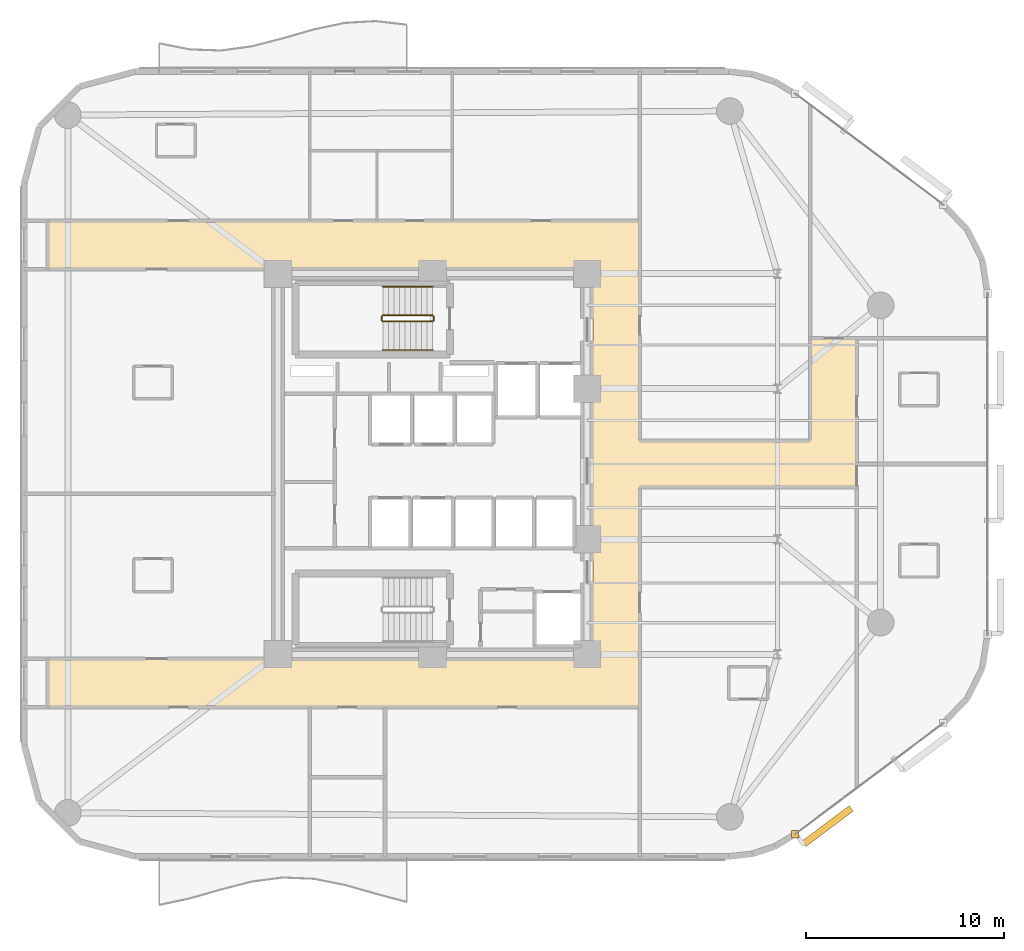
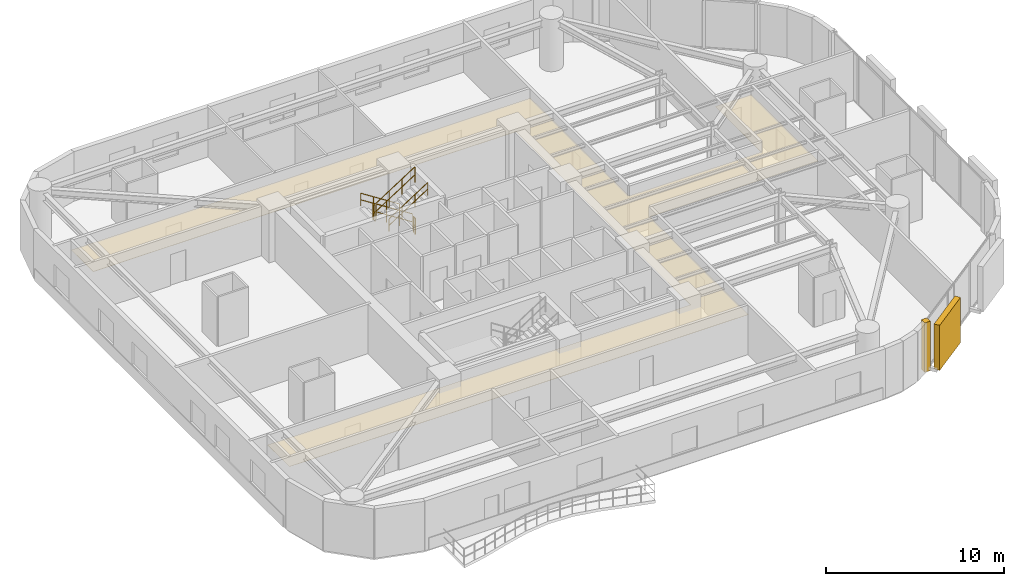
# One storey, part 15 of 16: 6 railings, 2 coverings, 1 shading device.
"""IFC4 building model written with IfcOpenShell, lengths in metres."""

import ifcopenshell
import ifcopenshell.guid

model = None  # the IFC model being written
_history = None  # IfcOwnerHistory: only IFC2X3 demands one
_inside = {}  # id of a spatial element -> (the spatial element, [elements in it])
_under = {}  # id of a project, library or spatial element -> (it, [spatial elements below it])
_declared = {}  # id of a project -> (the project, [libraries it declares])
_typed = {}  # id of a type object -> (the type object, [elements of that type])
_made_of = {}  # id of a material, layer set ... -> (it, [elements and type objects made of it])


def new_model(schema):
    """Start an empty IFC model of exactly this schema.

    Asked for "IFC4X3", IfcOpenShell would pick the latest addendum, in which some entities
    have other attributes; the version numbers below select the first issue.
    IFC2X3 requires an IfcOwnerHistory on every rooted entity: one is made here for all.
    """
    global model, _history
    if schema == "IFC4X3":
        model = ifcopenshell.file(schema_version=(4, 3, 0, 0))
    else:
        model = ifcopenshell.file(schema=schema)
    _inside.clear()
    _under.clear()
    _declared.clear()
    _typed.clear()
    _made_of.clear()
    _history = None
    if model.schema == "IFC2X3":
        org = make("IfcOrganization", Name="unknown")
        user = make(
            "IfcPersonAndOrganization",
            ThePerson=make("IfcPerson", FamilyName="unknown"),
            TheOrganization=org,
        )
        app = make(
            "IfcApplication",
            ApplicationDeveloper=org,
            Version="unknown",
            ApplicationFullName="unknown",
            ApplicationIdentifier="unknown",
        )
        _history = make(
            "IfcOwnerHistory",
            OwningUser=user,
            OwningApplication=app,
            ChangeAction="ADDED",
            CreationDate=0,
        )
    return model


def make(cls, **values):
    """One entity of the class cls with the attributes given. An attribute that is None is left unset."""
    return model.create_entity(
        cls, **{name: value for name, value in values.items() if value is not None}
    )


def rooted(cls, **values):
    """An entity with a GlobalId (a new one), such as an element, a storey or a relation."""
    return make(cls, GlobalId=ifcopenshell.guid.new(), OwnerHistory=_history, **values)


def si_unit(unit_type, name, prefix=None):
    """IfcSIUnit, for example si_unit("LENGTHUNIT", "METRE", prefix="MILLI")."""
    return make("IfcSIUnit", UnitType=unit_type, Prefix=prefix, Name=name)


def assignment(units):
    """IfcUnitAssignment: the units of a project."""
    return None if units is None else make("IfcUnitAssignment", Units=units)


def point(xyz):
    """IfcCartesianPoint."""
    return None if xyz is None else make("IfcCartesianPoint", Coordinates=xyz)


def direction(xyz):
    """IfcDirection."""
    return None if xyz is None else make("IfcDirection", DirectionRatios=xyz)


def frame(location, z_axis=None, x_axis=None):
    """IfcAxis2Placement3D, a coordinate frame: its origin and axes. An axis left out is left unset."""
    return make(
        "IfcAxis2Placement3D",
        Location=point(location),
        Axis=direction(z_axis),
        RefDirection=direction(x_axis),
    )


def frame_2d(location, x_axis=None):
    """IfcAxis2Placement2D, a coordinate frame in the plane: its origin and x axis."""
    return make(
        "IfcAxis2Placement2D", Location=point(location), RefDirection=direction(x_axis)
    )


def origin():
    """The frame at (0, 0, 0) with its axes left unset."""
    return frame((0.0, 0.0, 0.0))


def origin_2d():
    """The frame at (0, 0) in the plane with its x axis left unset."""
    return frame_2d((0.0, 0.0))


def place(relative_to, where):
    """IfcLocalPlacement: puts the frame where relative to a parent placement (None: the world)."""
    return make(
        "IfcLocalPlacement", PlacementRelTo=relative_to, RelativePlacement=where
    )


def context(
    kind, dimensions, precision=None, world=None, true_north=None, identifier=None
):
    """IfcGeometricRepresentationContext, for example the 3D "Model" context."""
    return make(
        "IfcGeometricRepresentationContext",
        ContextIdentifier=identifier,
        ContextType=kind,
        CoordinateSpaceDimension=dimensions,
        Precision=precision,
        WorldCoordinateSystem=world,
        TrueNorth=true_north,
    )


def subcontext(parent, identifier, kind, view, scale=None):
    """IfcGeometricRepresentationSubContext, for example "Body" below "Model"."""
    return make(
        "IfcGeometricRepresentationSubContext",
        ContextIdentifier=identifier,
        ContextType=kind,
        ParentContext=parent,
        TargetScale=scale,
        TargetView=view,
    )


def project(units=None, contexts=None):
    """IfcProject with its units and contexts."""
    return rooted(
        "IfcProject",
        Name="project",
        RepresentationContexts=contexts,
        UnitsInContext=assignment(units),
    )


def spatial(cls, under=None, at=None, **own):
    """A site, building, storey or space (cls), placed at a placement, below another one or the project."""
    s = rooted(cls, ObjectPlacement=at, **own)
    if under is not None:
        _under.setdefault(under.id(), (under, []))[1].append(s)
    return s


def polyline(points):
    """IfcPolyline through the points."""
    return make("IfcPolyline", Points=[point(p) for p in points])


def profile(cls, at=None, kind="AREA", **sizes):
    """A parametric profile (cls). Its sizes go by their IFC names, for example OverallWidth=200.0."""
    return make(cls, ProfileType=kind, Position=at, **sizes)


def rectangle(**sizes):
    """IfcRectangleProfileDef."""
    return profile("IfcRectangleProfileDef", **sizes)


def circle(**sizes):
    """IfcCircleProfileDef."""
    return profile("IfcCircleProfileDef", **sizes)


def outline(outer, holes=None, kind="AREA"):
    """IfcArbitraryClosedProfileDef: a profile drawn as a closed curve; with holes, ...WithVoids."""
    if holes is None:
        return make("IfcArbitraryClosedProfileDef", ProfileType=kind, OuterCurve=outer)
    return make(
        "IfcArbitraryProfileDefWithVoids",
        ProfileType=kind,
        OuterCurve=outer,
        InnerCurves=holes,
    )


def extrude(swept, where, along, depth):
    """IfcExtrudedAreaSolid: the profile swept, set in the frame where, extruded along a direction by depth."""
    return make(
        "IfcExtrudedAreaSolid",
        SweptArea=swept,
        Position=where,
        ExtrudedDirection=direction(along),
        Depth=depth,
    )


def shape(context_of_items, identifier, shape_type, items):
    """IfcShapeRepresentation: the items that make up one representation, for example the "Body"."""
    return make(
        "IfcShapeRepresentation",
        ContextOfItems=context_of_items,
        RepresentationIdentifier=identifier,
        RepresentationType=shape_type,
        Items=items,
    )


def material(Name=None, Category=None):
    """IfcMaterial."""
    return make("IfcMaterial", Name=Name, Category=Category)


def layer(
    of_material, thickness, ventilated=None, Name=None, Category=None, Priority=None
):
    """IfcMaterialLayer: one layer of a wall or slab, of a material (None: an air gap)."""
    return make(
        "IfcMaterialLayer",
        Material=of_material,
        LayerThickness=thickness,
        IsVentilated=ventilated,
        Name=Name,
        Category=Category,
        Priority=Priority,
    )


def layer_set(layers, Name=None):
    """IfcMaterialLayerSet."""
    return make("IfcMaterialLayerSet", MaterialLayers=layers, LayerSetName=Name)


def made_of(thing, what):
    """Note that an element or type object is made of a material, layer set ...; save() writes the relation."""
    if what is not None:
        _made_of.setdefault(what.id(), (what, []))[1].append(thing)
    return thing


def type_object(cls, material=None, **own):
    """A type object (cls), such as IfcWallType, which elements share."""
    return made_of(rooted(cls, **own), material)


def element(
    cls,
    number,
    at=None,
    inside=None,
    cuts=None,
    type_object=None,
    material=None,
    context=None,
    identifier="Body",
    shape_type=None,
    held_by="IfcProductDefinitionShape",
    body=None,
    shapes=None,
    **own,
):
    """One element of the class cls, such as IfcWall. Its Tag is "e" and its number.

    at: its placement. inside: the storey or other place that contains it. cuts: it is an
    opening in that element (IfcRelVoidsElement). A single representation is given by context,
    identifier, shape_type and body (its items); several are given by shapes. held_by: the class
    of the entity that holds the representations. save() writes the other relations.
    """
    e = rooted(cls, Tag="e%d" % number, ObjectPlacement=at, **own)
    if body is not None:
        shapes = [shape(context, identifier, shape_type, body)]
    if shapes is not None:
        e.Representation = make(held_by, Representations=shapes)
    if inside is not None:
        _inside.setdefault(inside.id(), (inside, []))[1].append(e)
    if cuts is not None:
        rooted(
            "IfcRelVoidsElement", RelatingBuildingElement=cuts, RelatedOpeningElement=e
        )
    if type_object is not None:
        _typed.setdefault(type_object.id(), (type_object, []))[1].append(e)
    return made_of(e, material)


def aggregate(whole, parts):
    """IfcRelAggregates: a whole, such as a stair, and the parts it consists of."""
    return rooted("IfcRelAggregates", RelatingObject=whole, RelatedObjects=parts)


def save(model, path):
    """Write the relations noted so far, then the file.

    IfcRelAggregates (storeys below a building ...), IfcRelContainedInSpatialStructure (elements
    in a storey), IfcRelDefinesByType, IfcRelAssociatesMaterial and IfcRelDeclares: one each for
    every whole, place, type object, material and project.
    """
    for whole, parts in _under.values():
        aggregate(whole, parts)
    for where, things in _inside.values():
        rooted(
            "IfcRelContainedInSpatialStructure",
            RelatedElements=things,
            RelatingStructure=where,
        )
    for kind, things in _typed.values():
        rooted("IfcRelDefinesByType", RelatedObjects=things, RelatingType=kind)
    for what, things in _made_of.values():
        rooted("IfcRelAssociatesMaterial", RelatedObjects=things, RelatingMaterial=what)
    for by, libraries in _declared.values():
        rooted("IfcRelDeclares", RelatingContext=by, RelatedDefinitions=libraries)
    model.write(path)


model = new_model("IFC4")

# Units and contexts
model_context = context("Model", 3, precision=1e-05, world=origin(), true_north=direction((0.0, 1.0)))
body_context = subcontext(model_context, "Body", "Model", "MODEL_VIEW")
ifc_project = project(units=[si_unit("LENGTHUNIT", "METRE"), si_unit("AREAUNIT", "SQUARE_METRE"), si_unit("VOLUMEUNIT", "CUBIC_METRE"), si_unit("PLANEANGLEUNIT", "RADIAN"), si_unit("MASSUNIT", "GRAM", prefix="KILO")], contexts=[model_context])

# Site, building, storey
site_placement = place(None, origin())
site = spatial("IfcSite", under=ifc_project, at=site_placement, CompositionType="ELEMENT")
building_placement = place(site_placement, origin())
building = spatial("IfcBuilding", under=site, at=building_placement, Name="An Khanh Terracotta Commons", CompositionType="ELEMENT")
storey_placement = place(building_placement, frame((0.0, 0.0, 100.699951171875)))
storey = spatial("IfcBuildingStorey", under=building, at=storey_placement, Name="L26", CompositionType="ELEMENT", Elevation=100.699951171875)

# Coverings
ifc_material_1 = material(Name="Perforated Mineral-Fibre Acoustic Tile")
ifc_layer_1 = layer(ifc_material_1, 0.02001953125, Name="Perforated Mineral-Fibre Acoustic Tile")
ifc_layer_set_1 = layer_set([ifc_layer_1], Name="Perforated Mineral-Fibre Acoustic Tile")
covering_type_1 = type_object("IfcCoveringType", Name="CEIL-ACOUSTIC-18", PredefinedType="CEILING", material=ifc_layer_set_1)
covering_1_placement = place(storey_placement, frame((0.0, 0.0, 2.650146484375)))
element("IfcCovering", 1, at=covering_1_placement, inside=storey, type_object=covering_type_1, Name="L26 Corridor Ceiling", PredefinedType="CEILING", context=body_context, shape_type="SweptSolid", body=[
    extrude(outline(polyline([(10.0, 11.719970703125), (10.0, 14.179931640625), (37.5, 14.179931640625), (37.5, 33.820068359375), (10.0, 33.820068359375), (10.0, 36.280029296875), (37.5, 36.280029296875), (39.85009765625, 36.280029296875), (39.85009765625, 33.820068359375), (39.85009765625, 25.179931640625), (48.449951171875, 25.179931640625), (48.449951171875, 30.35009765625), (50.800048828125, 30.35009765625), (50.800048828125, 25.179931640625), (50.800048828125, 22.820068359375), (48.449951171875, 22.820068359375), (39.85009765625, 22.820068359375), (39.85009765625, 14.179931640625), (39.85009765625, 11.719970703125), (37.5, 11.719970703125), (10.0, 11.719970703125)])), origin(), (0.0, 0.0, 1.0), 0.02001953125),
])
ifc_material_2 = material(Name="Fired Terracotta Rainscreen Cladding", Category="masonry")
ifc_layer_2 = layer(ifc_material_2, 0.080078125, Name="Fired Terracotta Rainscreen Cladding")
ifc_layer_set_2 = layer_set([ifc_layer_2], Name="Fired Terracotta Rainscreen Cladding")
covering_type_2 = type_object("IfcCoveringType", Name="COV-JAMB-TERRA", PredefinedType="CLADDING", material=ifc_layer_set_2)
covering_2_placement = place(storey_placement, frame((47.693115234375, 5.320068359375, 0.0), z_axis=(0.0, 0.0, 1.0), x_axis=(1.0, 0.0, 0.0)))
element("IfcCovering", 2, at=covering_2_placement, inside=storey, type_object=covering_type_2, Name="L26 CW-02 Curtain-Wall Jamb Closure JA", PredefinedType="CLADDING", context=body_context, shape_type="SweptSolid", body=[
    extrude(rectangle(XDim=0.3798828125, YDim=0.3798828125, at=origin_2d()), origin(), (0.0, 0.0, 1.0), 3.39990234375),
])

# Railings
ifc_material_3 = material(Name="Brushed Stainless Steel 316", Category="steel")
railing_type_1 = type_object("IfcRailingType", Name="RAIL-HANDRAIL-900", PredefinedType="HANDRAIL", material=ifc_material_3)
railing_1_placement = place(storey_placement, frame((29.409912109375, 32.949951171875, 0.179931640625)))
element("IfcRailing", 3, at=railing_1_placement, inside=storey, type_object=railing_type_1, Name="L26 ST-01 stair handrail 1", PredefinedType="HANDRAIL", context=body_context, shape_type="SweptSolid", body=[
    extrude(circle(Radius=0.02392578125, at=origin_2d()), frame((0.0, 0.0, 0.8759765625), z_axis=(-0.841162588446, 0.0, 0.540782303519), x_axis=(0.0, -1.0, 0.0)), (0.0, 0.0, 1.0), 2.995849609375),
    extrude(circle(Radius=0.02392578125, at=origin_2d()), frame((0.0, 0.0, 0.42578125), z_axis=(-0.841162588446, 0.0, 0.540782303519), x_axis=(0.0, -1.0, 0.0)), (0.0, 0.0, 1.0), 2.995849609375),
    extrude(circle(Radius=0.02099609375, at=origin_2d()), origin(), (0.0, 0.0, 1.0), 0.851806640625),
    extrude(circle(Radius=0.02099609375, at=origin_2d()), frame((-0.840087890625, 0.0, 0.5400390625)), (0.0, 0.0, 1.0), 0.851806640625),
    extrude(circle(Radius=0.02099609375, at=origin_2d()), frame((-1.679931640625, 0.0, 1.080078125)), (0.0, 0.0, 1.0), 0.851806640625),
    extrude(circle(Radius=0.02099609375, at=origin_2d()), frame((-2.52001953125, 0.0, 1.6201171875)), (0.0, 0.0, 1.0), 0.851806640625),
])
railing_2_placement = place(storey_placement, frame((26.889892578125, 29.75, 1.97998046875)))
element("IfcRailing", 4, at=railing_2_placement, inside=storey, type_object=railing_type_1, Name="L26 ST-01 stair handrail 2", PredefinedType="HANDRAIL", context=body_context, shape_type="SweptSolid", body=[
    extrude(circle(Radius=0.02392578125, at=origin_2d()), frame((0.0, 0.0, 0.8759765625), z_axis=(0.841162588446, 0.0, 0.540782303519), x_axis=(0.0, 1.0, 0.0)), (0.0, 0.0, 1.0), 2.995849609375),
    extrude(circle(Radius=0.02392578125, at=origin_2d()), frame((0.0, 0.0, 0.42578125), z_axis=(0.841162588446, 0.0, 0.540782303519), x_axis=(0.0, 1.0, 0.0)), (0.0, 0.0, 1.0), 2.995849609375),
    extrude(circle(Radius=0.02099609375, at=origin_2d()), origin(), (0.0, 0.0, 1.0), 0.851806640625),
    extrude(circle(Radius=0.02099609375, at=origin_2d()), frame((0.840087890625, 0.0, 0.5400390625)), (0.0, 0.0, 1.0), 0.851806640625),
    extrude(circle(Radius=0.02099609375, at=origin_2d()), frame((1.679931640625, 0.0, 1.080078125)), (0.0, 0.0, 1.0), 0.851806640625),
    extrude(circle(Radius=0.02099609375, at=origin_2d()), frame((2.52001953125, 0.0, 1.6201171875)), (0.0, 0.0, 1.0), 0.851806640625),
])
ifc_material_4 = material(Name="Powder-Coated Steel S355J2", Category="steel")
railing_type_2 = type_object("IfcRailingType", Name="RAIL-STAIR-GUARD-1100", PredefinedType="BALUSTRADE", material=ifc_material_4)
railing_3_placement = place(storey_placement, frame((29.409912109375, 31.5, 0.179931640625)))
element("IfcRailing", 5, at=railing_3_placement, inside=storey, type_object=railing_type_2, Name="L26 ST-01 stair guard 1", PredefinedType="BALUSTRADE", context=body_context, shape_type="SweptSolid", body=[
    extrude(circle(Radius=0.02392578125, at=origin_2d()), frame((0.0, 0.0, 1.076171875), z_axis=(-0.841162588446, 0.0, 0.540782303519), x_axis=(0.0, -1.0, 0.0)), (0.0, 0.0, 1.0), 2.995849609375),
    extrude(circle(Radius=0.02392578125, at=origin_2d()), frame((0.0, 0.0, 0.52587890625), z_axis=(-0.841162588446, 0.0, 0.540782303519), x_axis=(0.0, -1.0, 0.0)), (0.0, 0.0, 1.0), 2.995849609375),
    extrude(circle(Radius=0.02099609375, at=origin_2d()), origin(), (0.0, 0.0, 1.0), 1.052001953125),
    extrude(circle(Radius=0.02099609375, at=origin_2d()), frame((-0.840087890625, 0.0, 0.5400390625)), (0.0, 0.0, 1.0), 1.052001953125),
    extrude(circle(Radius=0.02099609375, at=origin_2d()), frame((-1.679931640625, 0.0, 1.080078125)), (0.0, 0.0, 1.0), 1.052001953125),
    extrude(circle(Radius=0.02099609375, at=origin_2d()), frame((-2.52001953125, 0.0, 1.6201171875)), (0.0, 0.0, 1.0), 1.052001953125),
])
railing_4_placement = place(storey_placement, frame((26.840087890625, 31.449951171875, 1.800048828125)))
element("IfcRailing", 6, at=railing_4_placement, inside=storey, type_object=railing_type_2, Name="L26 ST-01 stair guard 2", PredefinedType="BALUSTRADE", context=body_context, shape_type="SweptSolid", body=[
    extrude(circle(Radius=0.02392578125, at=origin_2d()), frame((0.0, 0.0, 1.076171875), z_axis=(0.0, -1.0, 0.0), x_axis=(1.0, 0.0, 0.0)), (0.0, 0.0, 1.0), 0.199951171875),
    extrude(circle(Radius=0.02392578125, at=origin_2d()), frame((0.0, 0.0, 0.52587890625), z_axis=(0.0, -1.0, 0.0), x_axis=(1.0, 0.0, 0.0)), (0.0, 0.0, 1.0), 0.199951171875),
    extrude(circle(Radius=0.02099609375, at=origin_2d()), origin(), (0.0, 0.0, 1.0), 1.052001953125),
    extrude(circle(Radius=0.02099609375, at=origin_2d()), frame((0.0, -0.199951171875, 0.0)), (0.0, 0.0, 1.0), 1.052001953125),
])
railing_5_placement = place(storey_placement, frame((26.889892578125, 31.199951171875, 1.97998046875)))
element("IfcRailing", 7, at=railing_5_placement, inside=storey, type_object=railing_type_2, Name="L26 ST-01 stair guard 3", PredefinedType="BALUSTRADE", context=body_context, shape_type="SweptSolid", body=[
    extrude(circle(Radius=0.02392578125, at=origin_2d()), frame((0.0, 0.0, 1.076171875), z_axis=(0.841162588446, 0.0, 0.540782303519), x_axis=(0.0, 1.0, 0.0)), (0.0, 0.0, 1.0), 2.995849609375),
    extrude(circle(Radius=0.02392578125, at=origin_2d()), frame((0.0, 0.0, 0.52587890625), z_axis=(0.841162588446, 0.0, 0.540782303519), x_axis=(0.0, 1.0, 0.0)), (0.0, 0.0, 1.0), 2.995849609375),
    extrude(circle(Radius=0.02099609375, at=origin_2d()), origin(), (0.0, 0.0, 1.0), 1.052001953125),
    extrude(circle(Radius=0.02099609375, at=origin_2d()), frame((0.840087890625, 0.0, 0.5400390625)), (0.0, 0.0, 1.0), 1.052001953125),
    extrude(circle(Radius=0.02099609375, at=origin_2d()), frame((1.679931640625, 0.0, 1.080078125)), (0.0, 0.0, 1.0), 1.052001953125),
    extrude(circle(Radius=0.02099609375, at=origin_2d()), frame((2.52001953125, 0.0, 1.6201171875)), (0.0, 0.0, 1.0), 1.052001953125),
])
railing_6_placement = place(storey_placement, frame((29.4599609375, 31.449951171875, 0.0)))
element("IfcRailing", 8, at=railing_6_placement, inside=storey, type_object=railing_type_2, Name="L26 ST-01 stair guard 4", PredefinedType="BALUSTRADE", context=body_context, shape_type="SweptSolid", body=[
    extrude(circle(Radius=0.02392578125, at=origin_2d()), frame((0.0, 0.0, 1.076171875), z_axis=(0.0, -1.0, 0.0), x_axis=(1.0, 0.0, 0.0)), (0.0, 0.0, 1.0), 0.199951171875),
    extrude(circle(Radius=0.02392578125, at=origin_2d()), frame((0.0, 0.0, 0.52587890625), z_axis=(0.0, -1.0, 0.0), x_axis=(1.0, 0.0, 0.0)), (0.0, 0.0, 1.0), 0.199951171875),
    extrude(circle(Radius=0.02099609375, at=origin_2d()), origin(), (0.0, 0.0, 1.0), 1.052001953125),
    extrude(circle(Radius=0.02099609375, at=origin_2d()), frame((0.0, -0.199951171875, 0.0)), (0.0, 0.0, 1.0), 1.052001953125),
])

# Shading device
ifc_material_5 = material(Name="Extruded Fired Terracotta", Category="masonry")
shading_device_type = type_object("IfcShadingDeviceType", Name="Terracotta Baguette Screen Assembly", PredefinedType="USERDEFINED", material=ifc_material_5)
shading_device_placement = place(storey_placement, frame((49.326904296875, 5.73291015625, 0.14990234375), z_axis=(0.0, 0.0, 1.0), x_axis=(0.800012856594, 0.599982857492, 0.0)))
element("IfcShadingDevice", 9, at=shading_device_placement, inside=storey, type_object=shading_device_type, Name="L26 Terracotta Baguette Screen 1", ObjectType="BAGUETTE", PredefinedType="USERDEFINED", context=body_context, shape_type="SweptSolid", body=[
    extrude(rectangle(XDim=2.990966796875, YDim=0.35009765625, at=origin_2d()), origin(), (0.0, 0.0, 1.0), 3.10009765625),
])

save(model, "model.ifc")
